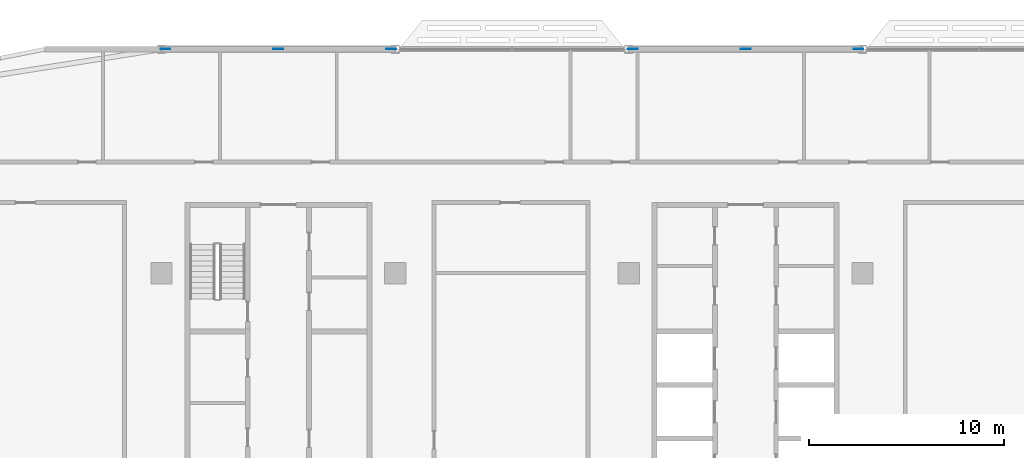
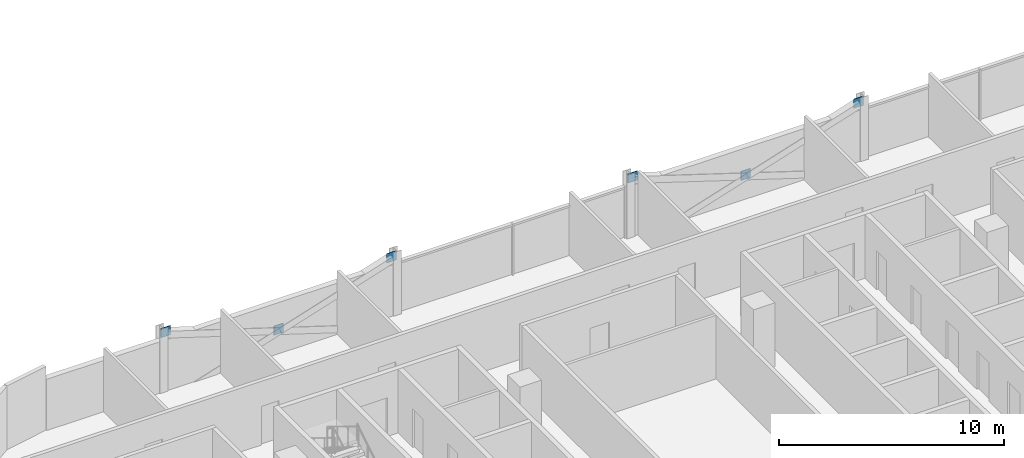
# One storey, part 21 of 29: 6 discrete accessories.
"""IFC4 building model written with IfcOpenShell, lengths in metres."""

from ifc_helpers import new_model, si_unit, direction, frame, origin, origin_2d, place, context, subcontext, project, spatial, rectangle, extrude, material, layer, layer_set, type_object, element, save


model = new_model("IFC4")

# Units and contexts
model_context = context("Model", 3, precision=1e-05, world=origin(), true_north=direction((0.0, 1.0)))
body_context = subcontext(model_context, "Body", "Model", "MODEL_VIEW")
ifc_project = project(units=[si_unit("LENGTHUNIT", "METRE"), si_unit("AREAUNIT", "SQUARE_METRE"), si_unit("VOLUMEUNIT", "CUBIC_METRE"), si_unit("PLANEANGLEUNIT", "RADIAN"), si_unit("MASSUNIT", "GRAM", prefix="KILO")], contexts=[model_context])

# Site, building, storey
site_placement = place(None, origin())
site = spatial("IfcSite", under=ifc_project, at=site_placement, CompositionType="ELEMENT")
building_placement = place(site_placement, origin())
building = spatial("IfcBuilding", under=site, at=building_placement, Name="Mahtab Terrace Research Tower", CompositionType="ELEMENT")
storey_placement = place(building_placement, frame((0.0, 0.0, 197.699951171875)))
storey = spatial("IfcBuildingStorey", under=building, at=storey_placement, Name="L47", CompositionType="ELEMENT", Elevation=197.699951171875)

# Discrete accessories
ifc_material = material(Name="Steel ASTM A992 Gr 50", Category="steel")
ifc_layer = layer(ifc_material, 0.030029296875)
ifc_layer_set = layer_set([ifc_layer], Name="Gusset plate 500x500x30")
discrete_accessory_type = type_object("IfcDiscreteAccessoryType", Name="Gusset plate 500x500x30", PredefinedType="USERDEFINED", material=ifc_layer_set)
for number, where, z_axis, x_axis, name in (
    (1, (-29.79931640625, 23.0, 2.870849609375), (0.0, 0.0, 1.0), (1.0, 0.0, 0.0), "Gusset plate"),
    (2, (-24.0, 23.0, 0.970947265625), (0.0, 0.0, 1.0), (1.0, 0.0, 0.0), "Gusset plate"),
    (3, (-18.20068359375, 23.0, 2.870849609375), (0.0, 0.0, 1.0), (1.0, 0.0, 0.0), "Gusset plate"),
    (4, (-5.79931640625, 23.0, 2.870849609375), (0.0, 0.0, 1.0), (1.0, 0.0, 0.0), "Gusset plate"),
    (5, (0.0, 23.0, 0.970947265625), (0.0, 0.0, 1.0), (1.0, 0.0, 0.0), "Gusset plate"),
    (6, (5.79931640625, 23.0, 2.870849609375), (0.0, 0.0, 1.0), (1.0, 0.0, 0.0), "Gusset plate"),
):
    element("IfcDiscreteAccessory", number, at=place(storey_placement, frame(where, z_axis=z_axis, x_axis=x_axis)), inside=storey, type_object=discrete_accessory_type, Name=name, ObjectType="GUSSET PLATE", PredefinedType="USERDEFINED", context=body_context, shape_type="SweptSolid", body=[
        extrude(rectangle(XDim=0.5, YDim=0.030029296875, at=origin_2d()), origin(), (0.0, 0.0, 1.0), 0.5),
    ])

save(model, "model.ifc")
